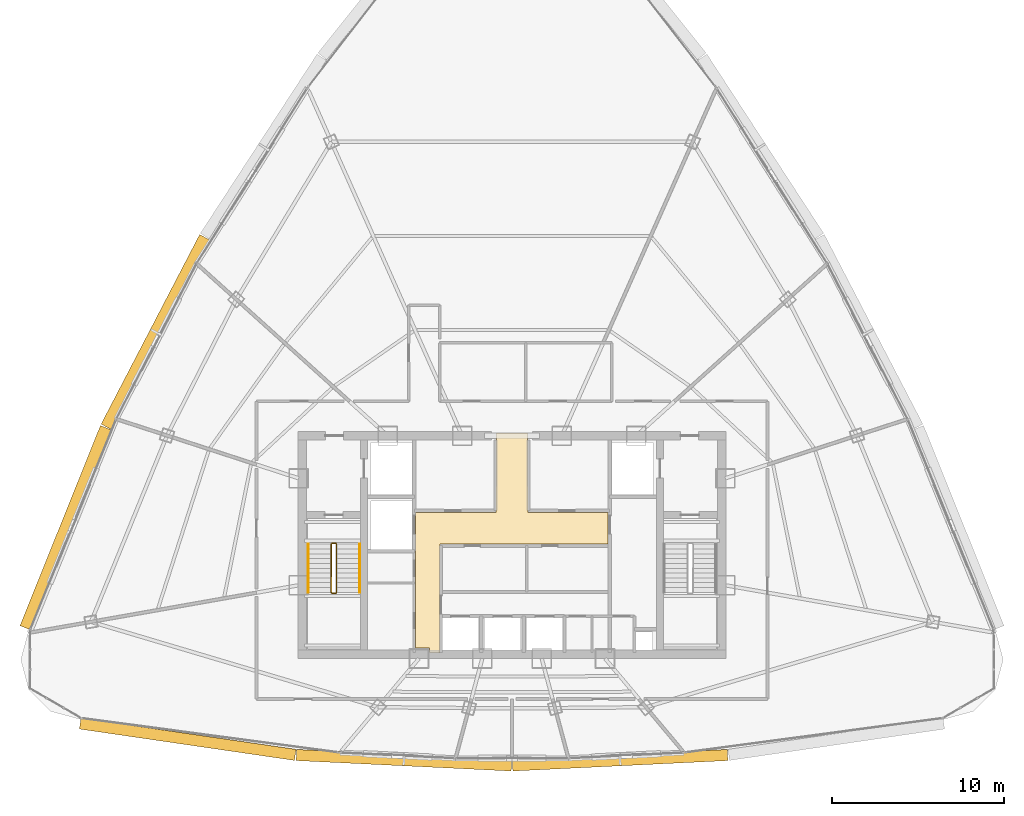
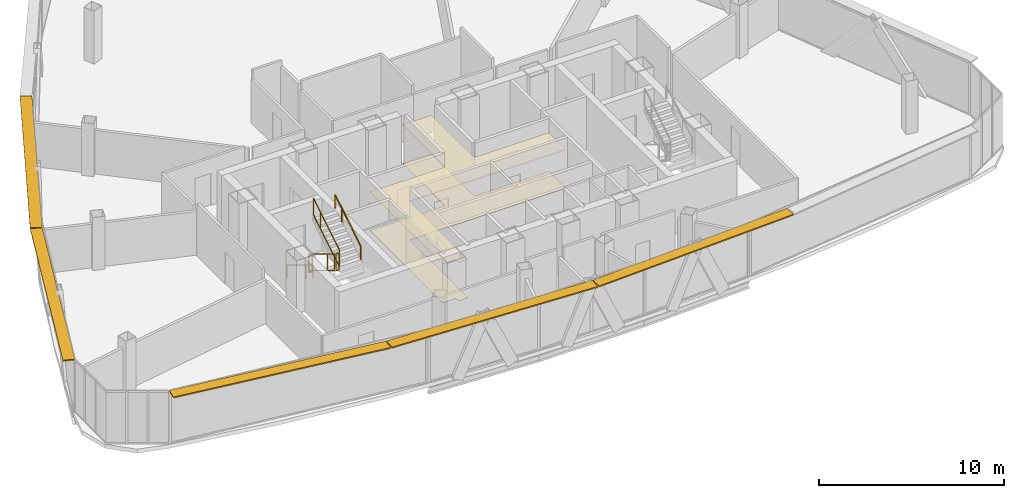
# One storey, part 24 of 26: 6 railings, 5 shading devices, 2 coverings.
"""IFC4 building model written with IfcOpenShell, lengths in metres."""

from ifc_helpers import new_model, si_unit, direction, frame, origin, origin_2d, place, context, subcontext, project, spatial, polyline, rectangle, outline, extrude, source, transform, mapped, material, layer, layer_set, type_object, element, save


model = new_model("IFC4")

# Units and contexts
model_context = context("Model", 3, precision=1e-05, world=origin(), true_north=direction((0.0, 1.0)))
body_context = subcontext(model_context, "Body", "Model", "MODEL_VIEW")
ifc_project = project(units=[si_unit("LENGTHUNIT", "METRE"), si_unit("AREAUNIT", "SQUARE_METRE"), si_unit("VOLUMEUNIT", "CUBIC_METRE"), si_unit("PLANEANGLEUNIT", "RADIAN"), si_unit("MASSUNIT", "GRAM", prefix="KILO"), si_unit("THERMODYNAMICTEMPERATUREUNIT", "KELVIN"), si_unit("POWERUNIT", "WATT")], contexts=[model_context])

# Site, building, storey
site_placement = place(None, origin())
site = spatial("IfcSite", under=ifc_project, at=site_placement, CompositionType="ELEMENT")
building_placement = place(site_placement, origin())
building = spatial("IfcBuilding", under=site, at=building_placement, Name="Yunzhuo Pagoda Commons", CompositionType="ELEMENT")
storey_placement = place(building_placement, frame((0.0, 0.0, 340.510009765625)))
storey = spatial("IfcBuildingStorey", under=building, at=storey_placement, Name="L85", CompositionType="ELEMENT", Elevation=340.510009765625)

# Coverings
ifc_material_1 = material(Name="Micro-perforated metal baffle ceiling")
ifc_layer_1 = layer(ifc_material_1, 0.034912109375)
ifc_layer_set_1 = layer_set([ifc_layer_1], Name="Micro-perforated metal baffle ceiling")
covering_type_1 = type_object("IfcCoveringType", Name="COV-CL3 Ceiling 35", PredefinedType="CEILING", material=ifc_layer_set_1)
covering_1_placement = place(storey_placement, frame((0.0, 0.0, 2.5400390625)))
element("IfcCovering", 1, at=covering_1_placement, inside=storey, type_object=covering_type_1, Name="L85 lift lobby acoustic ceiling", PredefinedType="CEILING", context=body_context, shape_type="SweptSolid", body=[
    extrude(outline(polyline([(42.39990234375, 35.75), (47.080078125, 35.75), (47.080078125, 37.25), (47.10009765625, 37.25), (47.10009765625, 40.35009765625), (48.89990234375, 40.35009765625), (48.89990234375, 37.25), (48.919921875, 37.25), (48.919921875, 35.75), (53.580078125, 35.75), (53.580078125, 33.89990234375), (43.820068359375, 33.89990234375), (43.820068359375, 27.60009765625), (43.207763671875, 27.60009765625), (43.207763671875, 27.85009765625), (43.201904296875, 27.864013671875), (43.187744140625, 27.8701171875), (42.39990234375, 27.8701171875), (42.39990234375, 33.89990234375), (42.39990234375, 35.75)])), origin(), (0.0, 0.0, 1.0), 0.034912109375),
])
ifc_material_2 = material(Name="Resilient acoustic studio flooring")
ifc_layer_2 = layer(ifc_material_2, 0.01806640625)
ifc_layer_set_2 = layer_set([ifc_layer_2], Name="Resilient acoustic studio flooring")
covering_type_2 = type_object("IfcCoveringType", Name="COV-FL3 Flooring 18", PredefinedType="FLOORING", material=ifc_layer_set_2)
covering_2_placement = place(storey_placement, origin())
element("IfcCovering", 2, at=covering_2_placement, inside=storey, type_object=covering_type_2, Name="L85 lift lobby flooring", PredefinedType="FLOORING", context=body_context, shape_type="SweptSolid", body=[
    extrude(outline(polyline([(42.39990234375, 35.75), (47.080078125, 35.75), (47.080078125, 37.25), (47.10009765625, 37.25), (47.10009765625, 40.35009765625), (48.89990234375, 40.35009765625), (48.89990234375, 37.25), (48.919921875, 37.25), (48.919921875, 35.75), (53.580078125, 35.75), (53.580078125, 33.89990234375), (43.820068359375, 33.89990234375), (43.820068359375, 27.60009765625), (43.207763671875, 27.60009765625), (43.207763671875, 27.85009765625), (43.201904296875, 27.864013671875), (43.187744140625, 27.8701171875), (42.39990234375, 27.8701171875), (42.39990234375, 33.89990234375), (42.39990234375, 35.75)])), origin(), (0.0, 0.0, 1.0), 0.01806640625),
])

# Railings
ifc_material_3 = material(Name="Anodized aluminium 6063-T6", Category="aluminium")
railing_type_1 = type_object("IfcRailingType", Name="GR-ST1 Stair Well Guardrail 1150", PredefinedType="GUARDRAIL", material=ifc_material_3)
railing_1_placement = place(storey_placement, frame((37.5, 33.89990234375, 0.17041015625)))
element("IfcRailing", 3, at=railing_1_placement, inside=storey, type_object=railing_type_1, Name="L85 ST1 stair guard 1", PredefinedType="GUARDRAIL", context=body_context, shape_type="SweptSolid", body=[
    extrude(rectangle(XDim=0.048095703125, YDim=0.048095703125, at=origin_2d()), frame((0.0, 0.0, 1.1259765625), z_axis=(0.0, -0.854149651119, 0.520027281489), x_axis=(1.0, 0.0, 0.0)), (0.0, 0.0, 1.0), 3.27783203125),
    extrude(rectangle(XDim=0.048095703125, YDim=0.048095703125, at=origin_2d()), frame((0.0, 0.0, 0.02392578125), z_axis=(0.0, -0.854149651119, 0.520027281489), x_axis=(1.0, 0.0, 0.0)), (0.0, 0.0, 1.0), 3.27783203125),
    extrude(rectangle(XDim=0.0419921875, YDim=0.0419921875, at=origin_2d()), origin(), (0.0, 0.0, 1.0), 1.101806640625),
    extrude(rectangle(XDim=0.0419921875, YDim=0.0419921875, at=origin_2d()), frame((0.0, -2.050048828125, 1.248046875)), (0.0, 0.0, 1.0), 1.101806640625),
    extrude(rectangle(XDim=0.0419921875, YDim=0.0419921875, at=origin_2d()), frame((0.0, -2.7998046875, 1.70458984375)), (0.0, 0.0, 1.0), 1.101806640625),
])
railing_2_placement = place(storey_placement, frame((37.550048828125, 31.050048828125, 1.875)))
element("IfcRailing", 4, at=railing_2_placement, inside=storey, type_object=railing_type_1, Name="L85 ST1 stair guard 2", PredefinedType="GUARDRAIL", context=body_context, shape_type="SweptSolid", body=[
    extrude(rectangle(XDim=0.048095703125, YDim=0.048095703125, at=origin_2d()), frame((0.0, 0.0, 1.1259765625), z_axis=(1.0, 0.0, 0.0), x_axis=(0.0, 1.0, 0.0)), (0.0, 0.0, 1.0), 0.199951171875),
    extrude(rectangle(XDim=0.048095703125, YDim=0.048095703125, at=origin_2d()), frame((0.0, 0.0, 0.02392578125), z_axis=(1.0, 0.0, 0.0), x_axis=(0.0, 1.0, 0.0)), (0.0, 0.0, 1.0), 0.199951171875),
    extrude(rectangle(XDim=0.0419921875, YDim=0.0419921875, at=origin_2d()), origin(), (0.0, 0.0, 1.0), 1.101806640625),
    extrude(rectangle(XDim=0.0419921875, YDim=0.0419921875, at=origin_2d()), frame((0.199951171875, 0.0, 0.0)), (0.0, 0.0, 1.0), 1.101806640625),
])
railing_3_placement = place(storey_placement, frame((37.800048828125, 31.10009765625, 2.04541015625)))
element("IfcRailing", 5, at=railing_3_placement, inside=storey, type_object=railing_type_1, Name="L85 ST1 stair guard 3", PredefinedType="GUARDRAIL", context=body_context, shape_type="SweptSolid", body=[
    extrude(rectangle(XDim=0.048095703125, YDim=0.048095703125, at=origin_2d()), frame((0.0, 0.0, 1.1259765625), z_axis=(0.0, 0.854149651119, 0.520027281489), x_axis=(-1.0, 0.0, 0.0)), (0.0, 0.0, 1.0), 3.27783203125),
    extrude(rectangle(XDim=0.048095703125, YDim=0.048095703125, at=origin_2d()), frame((0.0, 0.0, 0.02392578125), z_axis=(0.0, 0.854149651119, 0.520027281489), x_axis=(-1.0, 0.0, 0.0)), (0.0, 0.0, 1.0), 3.27783203125),
    extrude(rectangle(XDim=0.0419921875, YDim=0.0419921875, at=origin_2d()), origin(), (0.0, 0.0, 1.0), 1.101806640625),
    extrude(rectangle(XDim=0.0419921875, YDim=0.0419921875, at=origin_2d()), frame((0.0, 2.050048828125, 1.248046875)), (0.0, 0.0, 1.0), 1.101806640625),
    extrude(rectangle(XDim=0.0419921875, YDim=0.0419921875, at=origin_2d()), frame((0.0, 2.7998046875, 1.70458984375)), (0.0, 0.0, 1.0), 1.101806640625),
])
railing_4_placement = place(storey_placement, frame((37.550048828125, 33.949951171875, 0.0)))
element("IfcRailing", 6, at=railing_4_placement, inside=storey, type_object=railing_type_1, Name="L85 ST1 stair guard 4", PredefinedType="GUARDRAIL", context=body_context, shape_type="SweptSolid", body=[
    extrude(rectangle(XDim=0.048095703125, YDim=0.048095703125, at=origin_2d()), frame((0.0, 0.0, 1.1259765625), z_axis=(1.0, 0.0, 0.0), x_axis=(0.0, 1.0, 0.0)), (0.0, 0.0, 1.0), 0.199951171875),
    extrude(rectangle(XDim=0.048095703125, YDim=0.048095703125, at=origin_2d()), frame((0.0, 0.0, 0.02392578125), z_axis=(1.0, 0.0, 0.0), x_axis=(0.0, 1.0, 0.0)), (0.0, 0.0, 1.0), 0.199951171875),
    extrude(rectangle(XDim=0.0419921875, YDim=0.0419921875, at=origin_2d()), origin(), (0.0, 0.0, 1.0), 1.101806640625),
    extrude(rectangle(XDim=0.0419921875, YDim=0.0419921875, at=origin_2d()), frame((0.199951171875, 0.0, 0.0)), (0.0, 0.0, 1.0), 1.101806640625),
])
railing_type_2 = type_object("IfcRailingType", Name="HR-ST1 Stair Handrail 900", PredefinedType="HANDRAIL", material=ifc_material_3)
railing_5_placement = place(storey_placement, frame((36.14990234375, 33.89990234375, 0.17041015625)))
element("IfcRailing", 7, at=railing_5_placement, inside=storey, type_object=railing_type_2, Name="L85 ST1 stair handrail 1", PredefinedType="HANDRAIL", context=body_context, shape_type="SweptSolid", body=[
    extrude(rectangle(XDim=0.048095703125, YDim=0.048095703125, at=origin_2d()), frame((0.0, 0.0, 0.8759765625), z_axis=(0.0, -0.854149651119, 0.520027281489), x_axis=(1.0, 0.0, 0.0)), (0.0, 0.0, 1.0), 3.27783203125),
    extrude(rectangle(XDim=0.0419921875, YDim=0.0419921875, at=origin_2d()), origin(), (0.0, 0.0, 1.0), 0.851806640625),
    extrude(rectangle(XDim=0.0419921875, YDim=0.0419921875, at=origin_2d()), frame((0.0, -2.050048828125, 1.248046875)), (0.0, 0.0, 1.0), 0.851806640625),
    extrude(rectangle(XDim=0.0419921875, YDim=0.0419921875, at=origin_2d()), frame((0.0, -2.7998046875, 1.70458984375)), (0.0, 0.0, 1.0), 0.851806640625),
])
railing_6_placement = place(storey_placement, frame((39.14990234375, 31.10009765625, 2.04541015625)))
element("IfcRailing", 8, at=railing_6_placement, inside=storey, type_object=railing_type_2, Name="L85 ST1 stair handrail 2", PredefinedType="HANDRAIL", context=body_context, shape_type="SweptSolid", body=[
    extrude(rectangle(XDim=0.048095703125, YDim=0.048095703125, at=origin_2d()), frame((0.0, 0.0, 0.8759765625), z_axis=(0.0, 0.854149651119, 0.520027281489), x_axis=(-1.0, 0.0, 0.0)), (0.0, 0.0, 1.0), 3.27783203125),
    extrude(rectangle(XDim=0.0419921875, YDim=0.0419921875, at=origin_2d()), origin(), (0.0, 0.0, 1.0), 0.851806640625),
    extrude(rectangle(XDim=0.0419921875, YDim=0.0419921875, at=origin_2d()), frame((0.0, 2.050048828125, 1.248046875)), (0.0, 0.0, 1.0), 0.851806640625),
    extrude(rectangle(XDim=0.0419921875, YDim=0.0419921875, at=origin_2d()), frame((0.0, 2.7998046875, 1.70458984375)), (0.0, 0.0, 1.0), 0.851806640625),
])

# Shading devices
ifc_layer_3 = layer(ifc_material_3, 0.080078125)
ifc_layer_set_3 = layer_set([ifc_layer_3], Name="Anodized aluminium 6063-T6")
shading_device_type = type_object("IfcShadingDeviceType", Name="SH-SUN1 Pagoda Horizontal Sunshade Eave 650", PredefinedType="USERDEFINED", material=ifc_layer_set_3)
shared_shape_1 = source(origin(), body_context, "Body", "SweptSolid", [
    extrude(rectangle(XDim=12.63623046875, YDim=0.64990234375, at=origin_2d()), origin(), (0.0, 0.0, 1.0), 0.080078125),
])
shading_device_1_placement = place(storey_placement, frame((29.150390625, 22.563720703125, 3.409912109375), z_axis=(0.0, 0.0, 1.0), x_axis=(0.989510666697, -0.144459823108, 0.0)))
element("IfcShadingDevice", 9, at=shading_device_1_placement, inside=storey, type_object=shading_device_type, Name="L85 horizontal pagoda sunshade eave F1.1", ObjectType="SUNSHADE", PredefinedType="USERDEFINED", context=body_context, shape_type="MappedRepresentation", body=[
    mapped(shared_shape_1, transform((0.0, 0.0, 0.0), scale=1.0)),
])
shared_shape_2 = source(origin(), body_context, "Body", "SweptSolid", [
    extrude(rectangle(XDim=12.51806640625, YDim=0.64990234375, at=origin_2d()), origin(), (0.0, 0.0, 1.0), 0.080078125),
])
for number, where, z_axis, x_axis, name in (
    (10, (41.716796875, 21.3408203125, 3.409912109375), (0.0, 0.0, 1.0), (0.998818043775, -0.04860571396, 0.0), "L85 horizontal pagoda sunshade eave F1.2"),
    (11, (54.283203125, 21.3408203125, 3.409912109375), (0.0, 0.0, 1.0), (0.998818043775, 0.04860571396, 0.0), "L85 horizontal pagoda sunshade eave F1.3"),
):
    element("IfcShadingDevice", number, at=place(storey_placement, frame(where, z_axis=z_axis, x_axis=x_axis)), inside=storey, type_object=shading_device_type, Name=name, ObjectType="SUNSHADE", PredefinedType="USERDEFINED", context=body_context, shape_type="MappedRepresentation", body=[
        mapped(shared_shape_2, transform((0.0, 0.0, 0.0), scale=1.0)),
    ])
shared_shape_3 = source(origin(), body_context, "Body", "SweptSolid", [
    extrude(rectangle(XDim=12.534423828125, YDim=0.64990234375, at=origin_2d()), origin(), (0.0, 0.0, 1.0), 0.080078125),
])
shading_device_2_placement = place(storey_placement, frame((22.03955078125, 34.8583984375, 3.409912109375), z_axis=(0.0, 0.0, 1.0), x_axis=(-0.372987782576, -0.927836253899, 0.0)))
element("IfcShadingDevice", 12, at=shading_device_2_placement, inside=storey, type_object=shading_device_type, Name="L85 horizontal pagoda sunshade eave F3.4", ObjectType="SUNSHADE", PredefinedType="USERDEFINED", context=body_context, shape_type="MappedRepresentation", body=[
    mapped(shared_shape_3, transform((0.0, 0.0, 0.0), scale=1.0)),
])
shared_shape_4 = source(origin(), body_context, "Body", "SweptSolid", [
    extrude(rectangle(XDim=12.41552734375, YDim=0.64990234375, at=origin_2d()), origin(), (0.0, 0.0, 1.0), 0.080078125),
])
shading_device_3_placement = place(storey_placement, frame((27.2666015625, 46.239013671875, 3.409912109375), z_axis=(0.0, 0.0, 1.0), x_axis=(-0.461206683033, -0.88729273384, 0.0)))
element("IfcShadingDevice", 13, at=shading_device_3_placement, inside=storey, type_object=shading_device_type, Name="L85 horizontal pagoda sunshade eave F3.3", ObjectType="SUNSHADE", PredefinedType="USERDEFINED", context=body_context, shape_type="MappedRepresentation", body=[
    mapped(shared_shape_4, transform((0.0, 0.0, 0.0), scale=1.0)),
])

save(model, "model.ifc")
